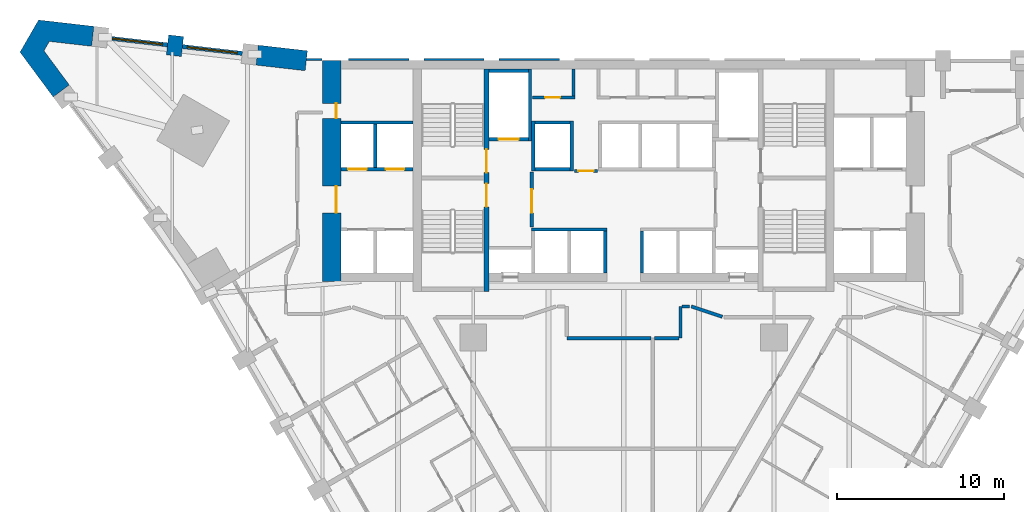
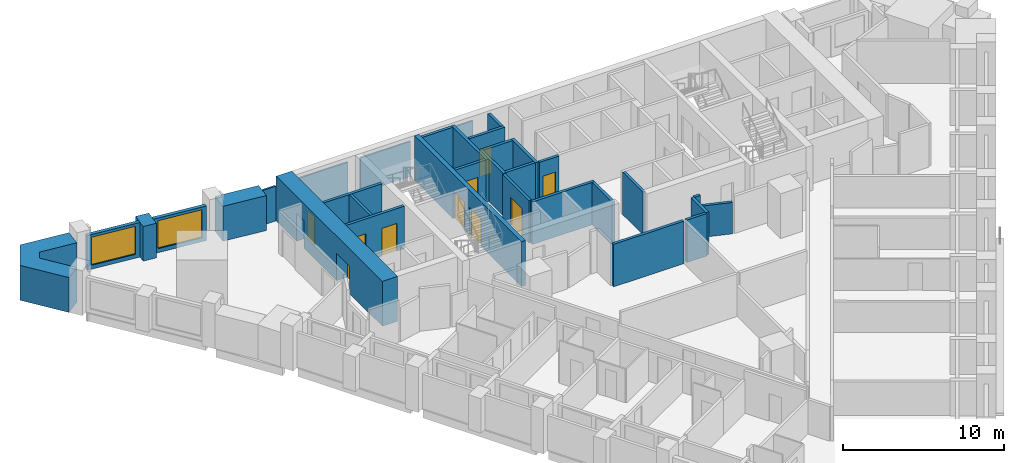
# One storey, part 7 of 11: 33 walls, 10 doors, 2 windows, 12 openings.
"""IFC4 building model written with IfcOpenShell, lengths in metres."""

import ifcopenshell
import ifcopenshell.guid

model = None  # the IFC model being written
_history = None  # IfcOwnerHistory: only IFC2X3 demands one
_inside = {}  # id of a spatial element -> (the spatial element, [elements in it])
_under = {}  # id of a project, library or spatial element -> (it, [spatial elements below it])
_declared = {}  # id of a project -> (the project, [libraries it declares])
_typed = {}  # id of a type object -> (the type object, [elements of that type])
_made_of = {}  # id of a material, layer set ... -> (it, [elements and type objects made of it])


def new_model(schema):
    """Start an empty IFC model of exactly this schema.

    Asked for "IFC4X3", IfcOpenShell would pick the latest addendum, in which some entities
    have other attributes; the version numbers below select the first issue.
    IFC2X3 requires an IfcOwnerHistory on every rooted entity: one is made here for all.
    """
    global model, _history
    if schema == "IFC4X3":
        model = ifcopenshell.file(schema_version=(4, 3, 0, 0))
    else:
        model = ifcopenshell.file(schema=schema)
    _inside.clear()
    _under.clear()
    _declared.clear()
    _typed.clear()
    _made_of.clear()
    _history = None
    if model.schema == "IFC2X3":
        org = make("IfcOrganization", Name="unknown")
        user = make(
            "IfcPersonAndOrganization",
            ThePerson=make("IfcPerson", FamilyName="unknown"),
            TheOrganization=org,
        )
        app = make(
            "IfcApplication",
            ApplicationDeveloper=org,
            Version="unknown",
            ApplicationFullName="unknown",
            ApplicationIdentifier="unknown",
        )
        _history = make(
            "IfcOwnerHistory",
            OwningUser=user,
            OwningApplication=app,
            ChangeAction="ADDED",
            CreationDate=0,
        )
    return model


def make(cls, **values):
    """One entity of the class cls with the attributes given. An attribute that is None is left unset."""
    return model.create_entity(
        cls, **{name: value for name, value in values.items() if value is not None}
    )


def rooted(cls, **values):
    """An entity with a GlobalId (a new one), such as an element, a storey or a relation."""
    return make(cls, GlobalId=ifcopenshell.guid.new(), OwnerHistory=_history, **values)


def si_unit(unit_type, name, prefix=None):
    """IfcSIUnit, for example si_unit("LENGTHUNIT", "METRE", prefix="MILLI")."""
    return make("IfcSIUnit", UnitType=unit_type, Prefix=prefix, Name=name)


def assignment(units):
    """IfcUnitAssignment: the units of a project."""
    return None if units is None else make("IfcUnitAssignment", Units=units)


def point(xyz):
    """IfcCartesianPoint."""
    return None if xyz is None else make("IfcCartesianPoint", Coordinates=xyz)


def direction(xyz):
    """IfcDirection."""
    return None if xyz is None else make("IfcDirection", DirectionRatios=xyz)


def frame(location, z_axis=None, x_axis=None):
    """IfcAxis2Placement3D, a coordinate frame: its origin and axes. An axis left out is left unset."""
    return make(
        "IfcAxis2Placement3D",
        Location=point(location),
        Axis=direction(z_axis),
        RefDirection=direction(x_axis),
    )


def frame_2d(location, x_axis=None):
    """IfcAxis2Placement2D, a coordinate frame in the plane: its origin and x axis."""
    return make(
        "IfcAxis2Placement2D", Location=point(location), RefDirection=direction(x_axis)
    )


def origin():
    """The frame at (0, 0, 0) with its axes left unset."""
    return frame((0.0, 0.0, 0.0))


def place(relative_to, where):
    """IfcLocalPlacement: puts the frame where relative to a parent placement (None: the world)."""
    return make(
        "IfcLocalPlacement", PlacementRelTo=relative_to, RelativePlacement=where
    )


def context(
    kind, dimensions, precision=None, world=None, true_north=None, identifier=None
):
    """IfcGeometricRepresentationContext, for example the 3D "Model" context."""
    return make(
        "IfcGeometricRepresentationContext",
        ContextIdentifier=identifier,
        ContextType=kind,
        CoordinateSpaceDimension=dimensions,
        Precision=precision,
        WorldCoordinateSystem=world,
        TrueNorth=true_north,
    )


def subcontext(parent, identifier, kind, view, scale=None):
    """IfcGeometricRepresentationSubContext, for example "Body" below "Model"."""
    return make(
        "IfcGeometricRepresentationSubContext",
        ContextIdentifier=identifier,
        ContextType=kind,
        ParentContext=parent,
        TargetScale=scale,
        TargetView=view,
    )


def project(units=None, contexts=None):
    """IfcProject with its units and contexts."""
    return rooted(
        "IfcProject",
        Name="project",
        RepresentationContexts=contexts,
        UnitsInContext=assignment(units),
    )


def spatial(cls, under=None, at=None, **own):
    """A site, building, storey or space (cls), placed at a placement, below another one or the project."""
    s = rooted(cls, ObjectPlacement=at, **own)
    if under is not None:
        _under.setdefault(under.id(), (under, []))[1].append(s)
    return s


def polyline(points):
    """IfcPolyline through the points."""
    return make("IfcPolyline", Points=[point(p) for p in points])


def profile(cls, at=None, kind="AREA", **sizes):
    """A parametric profile (cls). Its sizes go by their IFC names, for example OverallWidth=200.0."""
    return make(cls, ProfileType=kind, Position=at, **sizes)


def rectangle(**sizes):
    """IfcRectangleProfileDef."""
    return profile("IfcRectangleProfileDef", **sizes)


def outline(outer, holes=None, kind="AREA"):
    """IfcArbitraryClosedProfileDef: a profile drawn as a closed curve; with holes, ...WithVoids."""
    if holes is None:
        return make("IfcArbitraryClosedProfileDef", ProfileType=kind, OuterCurve=outer)
    return make(
        "IfcArbitraryProfileDefWithVoids",
        ProfileType=kind,
        OuterCurve=outer,
        InnerCurves=holes,
    )


def extrude(swept, where, along, depth):
    """IfcExtrudedAreaSolid: the profile swept, set in the frame where, extruded along a direction by depth."""
    return make(
        "IfcExtrudedAreaSolid",
        SweptArea=swept,
        Position=where,
        ExtrudedDirection=direction(along),
        Depth=depth,
    )


def shape(context_of_items, identifier, shape_type, items):
    """IfcShapeRepresentation: the items that make up one representation, for example the "Body"."""
    return make(
        "IfcShapeRepresentation",
        ContextOfItems=context_of_items,
        RepresentationIdentifier=identifier,
        RepresentationType=shape_type,
        Items=items,
    )


def material(Name=None, Category=None):
    """IfcMaterial."""
    return make("IfcMaterial", Name=Name, Category=Category)


def layer(
    of_material, thickness, ventilated=None, Name=None, Category=None, Priority=None
):
    """IfcMaterialLayer: one layer of a wall or slab, of a material (None: an air gap)."""
    return make(
        "IfcMaterialLayer",
        Material=of_material,
        LayerThickness=thickness,
        IsVentilated=ventilated,
        Name=Name,
        Category=Category,
        Priority=Priority,
    )


def layer_set(layers, Name=None):
    """IfcMaterialLayerSet."""
    return make("IfcMaterialLayerSet", MaterialLayers=layers, LayerSetName=Name)


def made_of(thing, what):
    """Note that an element or type object is made of a material, layer set ...; save() writes the relation."""
    if what is not None:
        _made_of.setdefault(what.id(), (what, []))[1].append(thing)
    return thing


def type_object(cls, material=None, **own):
    """A type object (cls), such as IfcWallType, which elements share."""
    return made_of(rooted(cls, **own), material)


def element(
    cls,
    number,
    at=None,
    inside=None,
    cuts=None,
    type_object=None,
    material=None,
    context=None,
    identifier="Body",
    shape_type=None,
    held_by="IfcProductDefinitionShape",
    body=None,
    shapes=None,
    **own,
):
    """One element of the class cls, such as IfcWall. Its Tag is "e" and its number.

    at: its placement. inside: the storey or other place that contains it. cuts: it is an
    opening in that element (IfcRelVoidsElement). A single representation is given by context,
    identifier, shape_type and body (its items); several are given by shapes. held_by: the class
    of the entity that holds the representations. save() writes the other relations.
    """
    e = rooted(cls, Tag="e%d" % number, ObjectPlacement=at, **own)
    if body is not None:
        shapes = [shape(context, identifier, shape_type, body)]
    if shapes is not None:
        e.Representation = make(held_by, Representations=shapes)
    if inside is not None:
        _inside.setdefault(inside.id(), (inside, []))[1].append(e)
    if cuts is not None:
        rooted(
            "IfcRelVoidsElement", RelatingBuildingElement=cuts, RelatedOpeningElement=e
        )
    if type_object is not None:
        _typed.setdefault(type_object.id(), (type_object, []))[1].append(e)
    return made_of(e, material)


def fill(opening, filler):
    """IfcRelFillsElement: the door or window that sits in an opening."""
    return rooted(
        "IfcRelFillsElement",
        RelatingOpeningElement=opening,
        RelatedBuildingElement=filler,
    )


def aggregate(whole, parts):
    """IfcRelAggregates: a whole, such as a stair, and the parts it consists of."""
    return rooted("IfcRelAggregates", RelatingObject=whole, RelatedObjects=parts)


def save(model, path):
    """Write the relations noted so far, then the file.

    IfcRelAggregates (storeys below a building ...), IfcRelContainedInSpatialStructure (elements
    in a storey), IfcRelDefinesByType, IfcRelAssociatesMaterial and IfcRelDeclares: one each for
    every whole, place, type object, material and project.
    """
    for whole, parts in _under.values():
        aggregate(whole, parts)
    for where, things in _inside.values():
        rooted(
            "IfcRelContainedInSpatialStructure",
            RelatedElements=things,
            RelatingStructure=where,
        )
    for kind, things in _typed.values():
        rooted("IfcRelDefinesByType", RelatedObjects=things, RelatingType=kind)
    for what, things in _made_of.values():
        rooted("IfcRelAssociatesMaterial", RelatedObjects=things, RelatingMaterial=what)
    for by, libraries in _declared.values():
        rooted("IfcRelDeclares", RelatingContext=by, RelatedDefinitions=libraries)
    model.write(path)


model = new_model("IFC4")

# Units and contexts
model_context = context("Model", 3, precision=1e-05, world=origin(), true_north=direction((0.0, 1.0)))
body_context = subcontext(model_context, "Body", "Model", "MODEL_VIEW")
ifc_project = project(units=[si_unit("LENGTHUNIT", "METRE"), si_unit("AREAUNIT", "SQUARE_METRE"), si_unit("VOLUMEUNIT", "CUBIC_METRE"), si_unit("PLANEANGLEUNIT", "RADIAN"), si_unit("MASSUNIT", "GRAM", prefix="KILO")], contexts=[model_context])

# Site, building, storey
site_placement = place(None, origin())
site = spatial("IfcSite", under=ifc_project, at=site_placement, CompositionType="ELEMENT")
building_placement = place(site_placement, origin())
building = spatial("IfcBuilding", under=site, at=building_placement, Name="Calabash Gate Tower", CompositionType="ELEMENT")
storey_placement = place(building_placement, frame((0.0, 0.0, 52.800048828125)))
storey = spatial("IfcBuildingStorey", under=building, at=storey_placement, Name="L08", CompositionType="ELEMENT", Elevation=52.800048828125)

# Walls
ifc_material_1 = material(Name="Terracotta brick masonry, exposed face", Category="masonry")
ifc_layer_1 = layer(ifc_material_1, 1.199951171875)
ifc_layer_set_1 = layer_set([ifc_layer_1], Name="Brick end wall 1200")
wall_type_1 = type_object("IfcWallType", Name="Brick end wall 1200", PredefinedType="SOLIDWALL", material=ifc_layer_set_1)
wall_1_placement = place(storey_placement, frame((-26.90625, 19.35400390625, 0.0), z_axis=(0.0, 0.0, 1.0), x_axis=(0.113936776845, 0.993488002385, 0.0)))
element("IfcWall", 1, at=wall_1_placement, inside=storey, type_object=wall_type_1, Name="Brick pier S01 wedge5.1", PredefinedType="SOLIDWALL", context=body_context, shape_type="SweptSolid", body=[
    extrude(rectangle(XDim=1.199951171875, YDim=0.89990234375, at=frame_2d((0.60009765625, 0.0))), origin(), (0.0, 0.0, 1.0), 2.6298828125),
])
wall_2_placement = place(storey_placement, frame((-21.919921875, 19.386962890625, 0.0), z_axis=(0.0, 0.0, 1.0), x_axis=(0.993507634887, -0.113765457942, 0.0)))
element("IfcWall", 2, at=wall_2_placement, inside=storey, type_object=wall_type_1, Name="Brick end wall S01 1", PredefinedType="SOLIDWALL", context=body_context, shape_type="SweptSolid", body=[
    extrude(rectangle(XDim=2.957275390625, YDim=1.199951171875, at=frame_2d((1.478515625, 0.0))), origin(), (0.0, 0.0, 1.0), 2.64990234375),
])
wall_3_placement = place(storey_placement, origin())
element("IfcWall", 3, at=wall_3_placement, inside=storey, type_object=wall_type_1, Name="Brick end wall S01 2", PredefinedType="SOLIDWALL", context=body_context, shape_type="SweptSolid", body=[
    extrude(outline(polyline([(-31.687744140625, 21.109375), (-34.99853515625, 21.48876953125), (-36.109130859375, 19.5654296875), (-34.125, 16.887451171875), (-33.160888671875, 17.601806640625), (-34.67626953125, 19.647216796875), (-34.35302734375, 20.206787109375), (-31.82421875, 19.917236328125), (-31.687744140625, 21.109375)])), origin(), (0.0, 0.0, 1.0), 2.64990234375),
])
ifc_material_2 = material(Name="Gypsum board on steel studs, mineral wool", Category="steel")
ifc_layer_2 = layer(ifc_material_2, 0.199951171875)
ifc_layer_set_2 = layer_set([ifc_layer_2], Name="Core partition 200 gypsum board")
wall_type_2 = type_object("IfcWallType", Name="Core partition 200 gypsum board", PredefinedType="PARTITIONING", material=ifc_layer_set_2)
wall_4_placement = place(storey_placement, frame((-3.0, 16.95263671875, 0.0), z_axis=(0.0, 0.0, 1.0), x_axis=(0.0, 1.0, 0.0)))
element("IfcWall", 4, at=wall_4_placement, inside=storey, type_object=wall_type_2, Name="Core partition", PredefinedType="PARTITIONING", context=body_context, shape_type="SweptSolid", body=[
    extrude(rectangle(XDim=1.599853515625, YDim=0.199951171875, at=frame_2d((0.7998046875, 0.0))), origin(), (0.0, 0.0, 1.0), 3.22998046875),
])

# Wall, openings, doors
ifc_material_3 = material(Name="Concrete C80/95", Category="concrete")
ifc_layer_3 = layer(ifc_material_3, 1.10009765625)
ifc_layer_set_3 = layer_set([ifc_layer_3], Name="Core wall 1100 Concrete C80/95")
wall_type_3 = type_object("IfcWallType", Name="Core wall 1100 Concrete C80/95", PredefinedType="SHEAR", material=ifc_layer_set_3)
wall_5_placement = place(storey_placement, frame((-17.449951171875, 5.8525390625, 0.0), z_axis=(0.0, 0.0, 1.0), x_axis=(0.0, 1.0, 0.0)))
wall_5 = element("IfcWall", 5, at=wall_5_placement, inside=storey, type_object=wall_type_3, Name="Core wall Z1-ENDW L08", PredefinedType="SHEAR", context=body_context, shape_type="SweptSolid", body=[
    extrude(rectangle(XDim=13.199951171875, YDim=1.10009765625, at=frame_2d((6.60009765625, 0.0))), origin(), (0.0, 0.0, 1.0), 3.39990234375),
])
opening_1_placement = place(wall_5_placement, frame((4.10009765625, 0.0, 0.0)))
opening_1 = element("IfcOpeningElement", 6, at=opening_1_placement, cuts=wall_5, Name="Opening H1-003", PredefinedType="OPENING", context=body_context, shape_type="SweptSolid", body=[
    extrude(rectangle(XDim=1.60009765625, YDim=2.10009765625, at=frame_2d((0.800048828125, 1.050048828125))), frame((0.0, 0.56005859375, 0.0), z_axis=(0.0, -1.0, 0.0), x_axis=(1.0, 0.0, 0.0)), (0.0, 0.0, 1.0), 1.1201171875),
])
opening_2_placement = place(wall_5_placement, frame((9.75, 0.0, 0.0)))
opening_2 = element("IfcOpeningElement", 7, at=opening_2_placement, cuts=wall_5, Name="Opening H1-004", PredefinedType="OPENING", context=body_context, shape_type="SweptSolid", body=[
    extrude(rectangle(XDim=0.89990234375, YDim=2.10009765625, at=frame_2d((0.449951171875, 1.050048828125))), frame((0.0, 0.56005859375, 0.0), z_axis=(0.0, -1.0, 0.0), x_axis=(1.0, 0.0, 0.0)), (0.0, 0.0, 1.0), 1.1201171875),
])
ifc_material_4 = material(Name="Steel fire door set with fire-resisting glazing", Category="steel")
door_type_1 = type_object("IfcDoorType", Name="Double fire door D08 1600x2100 FD60", OperationType="DOUBLE_DOOR_SINGLE_SWING", PredefinedType="DOOR", material=ifc_material_4)
door_1_placement = place(opening_1_placement, origin())
door_1 = element("IfcDoor", 8, at=door_1_placement, inside=storey, type_object=door_type_1, Name="Low-rise Lift Lobby W door", OperationType="DOUBLE_DOOR_SINGLE_SWING", OverallHeight=2.10009765625, OverallWidth=1.60009765625, PredefinedType="DOOR", context=body_context, shape_type="SweptSolid", body=[
    extrude(rectangle(XDim=1.60009765625, YDim=2.10009765625, at=frame_2d((0.800048828125, 1.050048828125))), frame((0.0, -0.22509765625, 0.0), z_axis=(0.0, -1.0, 0.0), x_axis=(1.0, 0.0, 0.0)), (0.0, 0.0, 1.0), 0.050048828125),
])
fill(opening_1, door_1)
ifc_material_5 = material(Name="Steel fire door set with fire-resisting glazing", Category="steel")
door_type_2 = type_object("IfcDoorType", Name="Fire door D06 900x2100 FD60", OperationType="NOTDEFINED", PredefinedType="DOOR", material=ifc_material_5)
door_2_placement = place(opening_2_placement, origin())
door_2 = element("IfcDoor", 9, at=door_2_placement, inside=storey, type_object=door_type_2, Name="Cleaner's Store door", OperationType="SINGLE_SWING_RIGHT", OverallHeight=2.10009765625, OverallWidth=0.89990234375, PredefinedType="DOOR", context=body_context, shape_type="SweptSolid", body=[
    extrude(rectangle(XDim=0.89990234375, YDim=2.10009765625, at=frame_2d((0.449951171875, 1.050048828125))), frame((0.0, -0.22509765625, 0.0), z_axis=(0.0, -1.0, 0.0), x_axis=(1.0, 0.0, 0.0)), (0.0, 0.0, 1.0), 0.050048828125),
])
fill(opening_2, door_2)

ifc_material_6 = material(Name="Concrete C80/95", Category="concrete")
ifc_layer_4 = layer(ifc_material_6, 0.300048828125)
ifc_layer_set_4 = layer_set([ifc_layer_4], Name="Core wall 300 Concrete C80/95")
wall_type_4 = type_object("IfcWallType", Name="Core wall 300 Concrete C80/95", PredefinedType="SHEAR", material=ifc_layer_set_4)
wall_6_placement = place(storey_placement, frame((-8.199951171875, 5.252685546875, 0.0), z_axis=(0.0, 0.0, 1.0), x_axis=(0.0, 1.0, 0.0)))
wall_6 = element("IfcWall", 10, at=wall_6_placement, inside=storey, type_object=wall_type_4, Name="Core wall Z1-PARTW L08", PredefinedType="SHEAR", context=body_context, shape_type="SweptSolid", body=[
    extrude(rectangle(XDim=13.2998046875, YDim=0.300048828125, at=frame_2d((6.64990234375, 0.0))), origin(), (0.0, 0.0, 1.0), 3.39990234375),
])
opening_3_placement = place(wall_6_placement, frame((7.10009765625, 0.0, 0.0)))
opening_3 = element("IfcOpeningElement", 11, at=opening_3_placement, cuts=wall_6, Name="Opening H1-014", PredefinedType="OPENING", context=body_context, shape_type="SweptSolid", body=[
    extrude(rectangle(XDim=1.39990234375, YDim=2.10009765625, at=frame_2d((0.699951171875, 1.050048828125))), frame((0.0, 0.159912109375, 0.0), z_axis=(0.0, -1.0, 0.0), x_axis=(1.0, 0.0, 0.0)), (0.0, 0.0, 1.0), 0.320068359375),
])
opening_4_placement = place(wall_6_placement, frame((5.050048828125, 0.0, 0.0)))
opening_4 = element("IfcOpeningElement", 12, at=opening_4_placement, cuts=wall_6, Name="Opening H1-015", PredefinedType="OPENING", context=body_context, shape_type="SweptSolid", body=[
    extrude(rectangle(XDim=1.39990234375, YDim=2.10009765625, at=frame_2d((0.699951171875, 1.050048828125))), frame((0.0, 0.159912109375, 0.0), z_axis=(0.0, -1.0, 0.0), x_axis=(1.0, 0.0, 0.0)), (0.0, 0.0, 1.0), 0.320068359375),
])
ifc_material_7 = material(Name="Steel fire door set with fire-resisting glazing", Category="steel")
door_type_3 = type_object("IfcDoorType", Name="Fire door D05 1400x2100 FD90", OperationType="NOTDEFINED", PredefinedType="DOOR", material=ifc_material_7)
door_3_placement = place(opening_3_placement, origin())
door_3 = element("IfcDoor", 13, at=door_3_placement, inside=storey, type_object=door_type_3, Name="Exit stair door ST1", OperationType="SINGLE_SWING_LEFT", OverallHeight=2.10009765625, OverallWidth=1.39990234375, PredefinedType="DOOR", context=body_context, shape_type="SweptSolid", body=[
    extrude(rectangle(XDim=1.39990234375, YDim=2.10009765625, at=frame_2d((0.699951171875, 1.050048828125))), frame((0.0, 0.02490234375, 0.0), z_axis=(0.0, -1.0, 0.0), x_axis=(1.0, 0.0, 0.0)), (0.0, 0.0, 1.0), 0.050048828125),
])
fill(opening_3, door_3)
door_4_placement = place(opening_4_placement, origin())
door_4 = element("IfcDoor", 14, at=door_4_placement, inside=storey, type_object=door_type_3, Name="Exit stair door ST2", OperationType="SINGLE_SWING_LEFT", OverallHeight=2.10009765625, OverallWidth=1.39990234375, PredefinedType="DOOR", context=body_context, shape_type="SweptSolid", body=[
    extrude(rectangle(XDim=1.39990234375, YDim=2.10009765625, at=frame_2d((0.699951171875, 1.050048828125))), frame((0.0, 0.02490234375, 0.0), z_axis=(0.0, -1.0, 0.0), x_axis=(1.0, 0.0, 0.0)), (0.0, 0.0, 1.0), 0.050048828125),
])
fill(opening_4, door_4)

# Walls
ifc_material_8 = material(Name="Gypsum board on steel studs, mineral wool", Category="steel")
ifc_layer_5 = layer(ifc_material_8, 0.199951171875)
ifc_layer_set_5 = layer_set([ifc_layer_5], Name="Partition 200 gypsum board EI 60")
wall_type_5 = type_object("IfcWallType", Name="Partition 200 gypsum board EI 60", PredefinedType="PARTITIONING", material=ifc_layer_set_5)
wall_7_placement = place(storey_placement, frame((-3.400146484375, 2.452392578125, 0.0), z_axis=(0.0, 0.0, 1.0), x_axis=(0.99999994274, -0.000338409456, 0.0)))
element("IfcWall", 15, at=wall_7_placement, inside=storey, type_object=wall_type_5, Name="Partition", PredefinedType="PARTITIONING", context=body_context, shape_type="SweptSolid", body=[
    extrude(rectangle(XDim=5.050048828125, YDim=0.199951171875, at=frame_2d((2.52490234375, 0.0))), origin(), (0.0, 0.0, 1.0), 3.22998046875),
])
wall_8_placement = place(storey_placement, frame((1.85009765625, 2.45068359375, 0.0), z_axis=(0.0, 0.0, 1.0), x_axis=(0.999999305627, 0.00117845036, 0.0)))
element("IfcWall", 16, at=wall_8_placement, inside=storey, type_object=wall_type_5, Name="Partition", PredefinedType="PARTITIONING", context=body_context, shape_type="SweptSolid", body=[
    extrude(rectangle(XDim=1.4501953125, YDim=0.199951171875, at=frame_2d((0.72509765625, 0.0))), origin(), (0.0, 0.0, 1.0), 3.22998046875),
])
wall_9_placement = place(storey_placement, frame((4.042236328125, 4.352294921875, 0.0), z_axis=(0.0, 0.0, 1.0), x_axis=(0.948695731075, -0.316190464499, 0.0)))
element("IfcWall", 17, at=wall_9_placement, inside=storey, type_object=wall_type_5, Name="Partition", PredefinedType="PARTITIONING", context=body_context, shape_type="SweptSolid", body=[
    extrude(rectangle(XDim=1.963623046875, YDim=0.199951171875, at=frame_2d((0.98193359375, 0.0))), origin(), (0.0, 0.0, 1.0), 2.384033203125),
])
wall_10_placement = place(storey_placement, frame((3.400146484375, 2.452392578125, 0.0), z_axis=(0.0, 0.0, 1.0), x_axis=(0.001028938362, 0.999999470643, 0.0)))
element("IfcWall", 18, at=wall_10_placement, inside=storey, type_object=wall_type_5, Name="Partition", PredefinedType="PARTITIONING", context=body_context, shape_type="SweptSolid", body=[
    extrude(rectangle(XDim=1.898193359375, YDim=0.199951171875, at=frame_2d((0.94921875, 0.0))), origin(), (0.0, 0.0, 1.0), 3.22998046875),
])
wall_11_placement = place(storey_placement, frame((3.501953125, 4.350830078125, 0.0), z_axis=(0.0, 0.0, 1.0), x_axis=(0.999996159087, 0.00277160798, 0.0)))
element("IfcWall", 19, at=wall_11_placement, inside=storey, type_object=wall_type_5, Name="Partition", PredefinedType="PARTITIONING", context=body_context, shape_type="SweptSolid", body=[
    extrude(rectangle(XDim=0.4404296875, YDim=0.199951171875, at=frame_2d((0.22021484375, 0.0))), origin(), (0.0, 0.0, 1.0), 3.22998046875),
])

# Wall, opening, window
ifc_material_9 = material(Name="Aluminium framed window wall with insulated spandrel", Category="aluminium")
ifc_layer_6 = layer(ifc_material_9, 0.25)
ifc_layer_set_6 = layer_set([ifc_layer_6], Name="Prow window wall 250")
wall_type_6 = type_object("IfcWallType", Name="Prow window wall 250", PredefinedType="ELEMENTEDWALL", material=ifc_layer_set_6)
wall_12_placement = place(storey_placement, frame((-22.814208984375, 19.4892578125, 0.0), z_axis=(0.0, 0.0, 1.0), x_axis=(-0.993504225498, 0.113795228013, 0.0)))
wall_12 = element("IfcWall", 20, at=wall_12_placement, inside=storey, type_object=wall_type_6, Name="Prow window wall S01 wedge5.1", PredefinedType="ELEMENTEDWALL", context=body_context, shape_type="SweptSolid", body=[
    extrude(rectangle(XDim=3.60009765625, YDim=0.25, at=frame_2d((1.800048828125, 0.0))), origin(), (0.0, 0.0, 1.0), 2.6298828125),
])
opening_5_placement = place(wall_12_placement, frame((0.300048828125, 0.0, 0.300048828125)))
opening_5 = element("IfcOpeningElement", 21, at=opening_5_placement, cuts=wall_12, Name="Opening WP1L-2130", PredefinedType="OPENING", context=body_context, shape_type="SweptSolid", body=[
    extrude(rectangle(XDim=3.0, YDim=2.1298828125, at=frame_2d((1.5, 1.06494140625))), frame((0.0, 0.135009765625, 0.0), z_axis=(0.0, -1.0, 0.0), x_axis=(1.0, 0.0, 0.0)), (0.0, 0.0, 1.0), 0.27001953125),
])
ifc_material_10 = material(Name="Anodised aluminium frame, bronze finish, impact-rated laminated clear glazing", Category="aluminium")
window_type = type_object("IfcWindowType", Name="Window WP1L 3000x2130", PartitioningType="DOUBLE_PANEL_VERTICAL", PredefinedType="WINDOW", material=ifc_material_10)
window_1_placement = place(opening_5_placement, origin())
window_1 = element("IfcWindow", 22, at=window_1_placement, inside=storey, type_object=window_type, Name="Prow window WP1L S01 wedge5.1", OverallHeight=2.1298828125, OverallWidth=3.0, PartitioningType="SINGLE_PANEL", PredefinedType="WINDOW", context=body_context, shape_type="SweptSolid", body=[
    extrude(rectangle(XDim=3.0, YDim=2.1298828125, at=frame_2d((1.5, 1.06494140625))), frame((0.0, 0.030029296875, 0.0), z_axis=(0.0, -1.0, 0.0), x_axis=(1.0, 0.0, 0.0)), (0.0, 0.0, 1.0), 0.06005859375),
])
fill(opening_5, window_1)

wall_13_placement = place(storey_placement, frame((-27.284912109375, 20.00146484375, 0.0), z_axis=(0.0, 0.0, 1.0), x_axis=(-0.993511890309, 0.113728289423, 0.0)))
wall_13 = element("IfcWall", 23, at=wall_13_placement, inside=storey, type_object=wall_type_6, Name="Prow window wall S01 wedge5.2", PredefinedType="ELEMENTEDWALL", context=body_context, shape_type="SweptSolid", body=[
    extrude(rectangle(XDim=3.60009765625, YDim=0.25, at=frame_2d((1.800048828125, 0.0))), origin(), (0.0, 0.0, 1.0), 2.6298828125),
])
opening_6_placement = place(wall_13_placement, frame((0.300048828125, 0.0, 0.300048828125)))
opening_6 = element("IfcOpeningElement", 24, at=opening_6_placement, cuts=wall_13, Name="Opening WP1L-2130", PredefinedType="OPENING", context=body_context, shape_type="SweptSolid", body=[
    extrude(rectangle(XDim=3.0, YDim=2.1298828125, at=frame_2d((1.5, 1.06494140625))), frame((0.0, 0.135009765625, 0.0), z_axis=(0.0, -1.0, 0.0), x_axis=(1.0, 0.0, 0.0)), (0.0, 0.0, 1.0), 0.27001953125),
])
window_2_placement = place(opening_6_placement, origin())
window_2 = element("IfcWindow", 25, at=window_2_placement, inside=storey, type_object=window_type, Name="Prow window WP1L S01 wedge5.2", OverallHeight=2.1298828125, OverallWidth=3.0, PartitioningType="SINGLE_PANEL", PredefinedType="WINDOW", context=body_context, shape_type="SweptSolid", body=[
    extrude(rectangle(XDim=3.0, YDim=2.1298828125, at=frame_2d((1.5, 1.06494140625))), frame((0.0, 0.030029296875, 0.0), z_axis=(0.0, -1.0, 0.0), x_axis=(1.0, 0.0, 0.0)), (0.0, 0.0, 1.0), 0.06005859375),
])
fill(opening_6, window_2)

# Walls
ifc_material_11 = material(Name="Concrete C40/50", Category="concrete")
ifc_layer_7 = layer(ifc_material_11, 0.199951171875)
ifc_layer_set_7 = layer_set([ifc_layer_7], Name="Shaft wall 200 Concrete C40/50")
wall_type_7 = type_object("IfcWallType", Name="Shaft wall 200 Concrete C40/50", PredefinedType="SOLIDWALL", material=ifc_layer_set_7)
for number, where, z_axis, x_axis, name in (
    (26, (-1.10009765625, 6.3525390625, 0.0), (0.0, 0.0, 1.0), (0.0, 1.0, 0.0), "Shaft wall"),
    (27, (1.10009765625, 6.3525390625, 0.0), (0.0, 0.0, 1.0), (0.0, 1.0, 0.0), "Shaft wall"),
):
    element("IfcWall", number, at=place(storey_placement, frame(where, z_axis=z_axis, x_axis=x_axis)), inside=storey, type_object=wall_type_7, Name=name, PredefinedType="SOLIDWALL", context=body_context, shape_type="SweptSolid", body=[
        extrude(rectangle(XDim=2.5, YDim=0.199951171875, at=frame_2d((1.25, 0.0))), origin(), (0.0, 0.0, 1.0), 3.22998046875),
    ])
wall_14_placement = place(storey_placement, frame((-5.5, 8.95263671875, 0.0), z_axis=(0.0, 0.0, 1.0), x_axis=(1.0, 0.0, 0.0)))
element("IfcWall", 28, at=wall_14_placement, inside=storey, type_object=wall_type_7, Name="Shaft wall", PredefinedType="SOLIDWALL", context=body_context, shape_type="SweptSolid", body=[
    extrude(rectangle(XDim=4.5, YDim=0.199951171875, at=frame_2d((2.25, 0.0))), origin(), (0.0, 0.0, 1.0), 3.22998046875),
])

# Wall, opening, door
wall_15_placement = place(storey_placement, frame((-5.5, 9.1025390625, 0.0), z_axis=(0.0, 0.0, 1.0), x_axis=(0.0, 1.0, 0.0)))
wall_15 = element("IfcWall", 29, at=wall_15_placement, inside=storey, type_object=wall_type_7, Name="Shaft wall", PredefinedType="SOLIDWALL", context=body_context, shape_type="SweptSolid", body=[
    extrude(rectangle(XDim=3.300048828125, YDim=0.199951171875, at=frame_2d((1.64990234375, 0.0))), origin(), (0.0, 0.0, 1.0), 3.22998046875),
])
opening_7_placement = place(wall_15_placement, frame((0.85009765625, 0.0, 0.0)))
opening_7 = element("IfcOpeningElement", 30, at=opening_7_placement, cuts=wall_15, Name="Opening H1-007", PredefinedType="OPENING", context=body_context, shape_type="SweptSolid", body=[
    extrude(rectangle(XDim=1.39990234375, YDim=2.10009765625, at=frame_2d((0.699951171875, 1.050048828125))), frame((0.0, 0.10986328125, 0.0), z_axis=(0.0, -1.0, 0.0), x_axis=(1.0, 0.0, 0.0)), (0.0, 0.0, 1.0), 0.219970703125),
])
door_5_placement = place(opening_7_placement, origin())
door_5 = element("IfcDoor", 31, at=door_5_placement, inside=storey, type_object=door_type_3, Name="Firefighting Lobby W door", OperationType="SINGLE_SWING_RIGHT", OverallHeight=2.10009765625, OverallWidth=1.39990234375, PredefinedType="DOOR", context=body_context, shape_type="SweptSolid", body=[
    extrude(rectangle(XDim=1.39990234375, YDim=2.10009765625, at=frame_2d((0.699951171875, 1.050048828125))), frame((0.0, 0.02490234375, 0.0), z_axis=(0.0, -1.0, 0.0), x_axis=(1.0, 0.0, 0.0)), (0.0, 0.0, 1.0), 0.050048828125),
])
fill(opening_7, door_5)

wall_16_placement = place(storey_placement, frame((-2.949951171875, 12.45263671875, 0.0), z_axis=(0.0, 0.0, 1.0), x_axis=(1.0, 0.0, 0.0)))
wall_16 = element("IfcWall", 32, at=wall_16_placement, inside=storey, type_object=wall_type_7, Name="Shaft wall", PredefinedType="SOLIDWALL", context=body_context, shape_type="SweptSolid", body=[
    extrude(rectangle(XDim=1.39990234375, YDim=0.199951171875, at=frame_2d((0.699951171875, 0.0))), origin(), (0.0, 0.0, 1.0), 3.22998046875),
])
opening_8_placement = place(wall_16_placement, frame((0.25, 0.0, 0.0)))
opening_8 = element("IfcOpeningElement", 33, at=opening_8_placement, cuts=wall_16, Name="Opening H1-005", PredefinedType="OPENING", context=body_context, shape_type="SweptSolid", body=[
    extrude(rectangle(XDim=0.89990234375, YDim=2.10009765625, at=frame_2d((0.449951171875, 1.050048828125))), frame((0.0, 0.10986328125, 0.0), z_axis=(0.0, -1.0, 0.0), x_axis=(1.0, 0.0, 0.0)), (0.0, 0.0, 1.0), 0.219970703125),
])
door_6_placement = place(opening_8_placement, origin())
door_6 = element("IfcDoor", 34, at=door_6_placement, inside=storey, type_object=door_type_2, Name="Service Corridor door", OperationType="SINGLE_SWING_RIGHT", OverallHeight=2.10009765625, OverallWidth=0.89990234375, PredefinedType="DOOR", context=body_context, shape_type="SweptSolid", body=[
    extrude(rectangle(XDim=0.89990234375, YDim=2.10009765625, at=frame_2d((0.449951171875, 1.050048828125))), frame((0.0, 0.02490234375, 0.0), z_axis=(0.0, -1.0, 0.0), x_axis=(1.0, 0.0, 0.0)), (0.0, 0.0, 1.0), 0.050048828125),
])
fill(opening_8, door_6)

# Wall, openings, doors
wall_17_placement = place(storey_placement, frame((-16.89990234375, 12.552490234375, 0.0), z_axis=(0.0, 0.0, 1.0), x_axis=(1.0, 0.0, 0.0)))
wall_17 = element("IfcWall", 35, at=wall_17_placement, inside=storey, type_object=wall_type_7, Name="Shaft wall", PredefinedType="SOLIDWALL", context=body_context, shape_type="SweptSolid", body=[
    extrude(rectangle(XDim=4.2998046875, YDim=0.199951171875, at=frame_2d((2.14990234375, 0.0))), origin(), (0.0, 0.0, 1.0), 3.22998046875),
])
opening_9_placement = place(wall_17_placement, frame((2.675048828125, 0.0, 0.0)))
opening_9 = element("IfcOpeningElement", 36, at=opening_9_placement, cuts=wall_17, Name="Opening LD-LR3", PredefinedType="OPENING", context=body_context, shape_type="SweptSolid", body=[
    extrude(rectangle(XDim=1.10009765625, YDim=2.10009765625, at=frame_2d((0.550048828125, 1.050048828125))), frame((0.0, 0.10986328125, 0.0), z_axis=(0.0, -1.0, 0.0), x_axis=(1.0, 0.0, 0.0)), (0.0, 0.0, 1.0), 0.219970703125),
])
opening_10_placement = place(wall_17_placement, frame((0.425048828125, 0.0, 0.0)))
opening_10 = element("IfcOpeningElement", 37, at=opening_10_placement, cuts=wall_17, Name="Opening LD-LR4", PredefinedType="OPENING", context=body_context, shape_type="SweptSolid", body=[
    extrude(rectangle(XDim=1.10009765625, YDim=2.10009765625, at=frame_2d((0.550048828125, 1.050048828125))), frame((0.0, 0.10986328125, 0.0), z_axis=(0.0, -1.0, 0.0), x_axis=(1.0, 0.0, 0.0)), (0.0, 0.0, 1.0), 0.219970703125),
])
ifc_material_12 = material(Name="Stainless steel sliding door leaves", Category="steel")
door_type_4 = type_object("IfcDoorType", Name="Lift landing door LS1 1100x2100 FD90", OperationType="DOUBLE_DOOR_SLIDING", PredefinedType="DOOR", material=ifc_material_12)
door_7_placement = place(opening_9_placement, origin())
door_7 = element("IfcDoor", 38, at=door_7_placement, inside=storey, type_object=door_type_4, Name="Lift landing door LR3", OperationType="DOUBLE_DOOR_SLIDING", OverallHeight=2.10009765625, OverallWidth=1.10009765625, PredefinedType="DOOR", context=body_context, shape_type="SweptSolid", body=[
    extrude(rectangle(XDim=1.10009765625, YDim=2.10009765625, at=frame_2d((0.550048828125, 1.050048828125))), frame((0.0, 0.02490234375, 0.0), z_axis=(0.0, -1.0, 0.0), x_axis=(1.0, 0.0, 0.0)), (0.0, 0.0, 1.0), 0.050048828125),
])
fill(opening_9, door_7)
door_8_placement = place(opening_10_placement, origin())
door_8 = element("IfcDoor", 39, at=door_8_placement, inside=storey, type_object=door_type_4, Name="Lift landing door LR4", OperationType="DOUBLE_DOOR_SLIDING", OverallHeight=2.10009765625, OverallWidth=1.10009765625, PredefinedType="DOOR", context=body_context, shape_type="SweptSolid", body=[
    extrude(rectangle(XDim=1.10009765625, YDim=2.10009765625, at=frame_2d((0.550048828125, 1.050048828125))), frame((0.0, 0.02490234375, 0.0), z_axis=(0.0, -1.0, 0.0), x_axis=(1.0, 0.0, 0.0)), (0.0, 0.0, 1.0), 0.050048828125),
])
fill(opening_10, door_8)

# Walls
wall_18_placement = place(storey_placement, frame((-5.39990234375, 12.45263671875, 0.0), z_axis=(0.0, 0.0, 1.0), x_axis=(0.0, 1.0, 0.0)))
element("IfcWall", 40, at=wall_18_placement, inside=storey, type_object=wall_type_7, Name="Shaft wall", PredefinedType="SOLIDWALL", context=body_context, shape_type="SweptSolid", body=[
    extrude(rectangle(XDim=3.0, YDim=0.199951171875, at=frame_2d((1.5, 0.0))), origin(), (0.0, 0.0, 1.0), 3.22998046875),
])
wall_19_placement = place(storey_placement, frame((-5.300048828125, 12.552490234375, 0.0), z_axis=(0.0, 0.0, 1.0), x_axis=(1.0, 0.0, 0.0)))
element("IfcWall", 41, at=wall_19_placement, inside=storey, type_object=wall_type_7, Name="Shaft wall", PredefinedType="SOLIDWALL", context=body_context, shape_type="SweptSolid", body=[
    extrude(rectangle(XDim=2.10009765625, YDim=0.199951171875, at=frame_2d((1.050048828125, 0.0))), origin(), (0.0, 0.0, 1.0), 3.22998046875),
])
wall_20_placement = place(storey_placement, frame((-3.10009765625, 12.45263671875, 0.0), z_axis=(0.0, 0.0, 1.0), x_axis=(0.0, 1.0, 0.0)))
element("IfcWall", 42, at=wall_20_placement, inside=storey, type_object=wall_type_7, Name="Shaft wall", PredefinedType="SOLIDWALL", context=body_context, shape_type="SweptSolid", body=[
    extrude(rectangle(XDim=3.0, YDim=0.199951171875, at=frame_2d((1.5, 0.0))), origin(), (0.0, 0.0, 1.0), 3.22998046875),
])
wall_21_placement = place(storey_placement, frame((-14.85009765625, 12.652587890625, 0.0), z_axis=(0.0, 0.0, 1.0), x_axis=(0.0, 1.0, 0.0)))
element("IfcWall", 43, at=wall_21_placement, inside=storey, type_object=wall_type_7, Name="Shaft wall", PredefinedType="SOLIDWALL", context=body_context, shape_type="SweptSolid", body=[
    extrude(rectangle(XDim=2.60009765625, YDim=0.199951171875, at=frame_2d((1.300048828125, 0.0))), origin(), (0.0, 0.0, 1.0), 3.22998046875),
])

# Wall, opening, door
wall_22_placement = place(storey_placement, frame((-8.050048828125, 14.3525390625, 0.0), z_axis=(0.0, 0.0, 1.0), x_axis=(1.0, 0.0, 0.0)))
wall_22 = element("IfcWall", 44, at=wall_22_placement, inside=storey, type_object=wall_type_7, Name="Shaft wall", PredefinedType="SOLIDWALL", context=body_context, shape_type="SweptSolid", body=[
    extrude(rectangle(XDim=2.35009765625, YDim=0.199951171875, at=frame_2d((1.175048828125, 0.0))), origin(), (0.0, 0.0, 1.0), 3.22998046875),
])
opening_11_placement = place(wall_22_placement, frame((0.574951171875, 0.0, 0.0)))
opening_11 = element("IfcOpeningElement", 45, at=opening_11_placement, cuts=wall_22, Name="Opening LD-FF1", PredefinedType="OPENING", context=body_context, shape_type="SweptSolid", body=[
    extrude(rectangle(XDim=1.199951171875, YDim=2.10009765625, at=frame_2d((0.60009765625, 1.050048828125))), frame((0.0, 0.10986328125, 0.0), z_axis=(0.0, -1.0, 0.0), x_axis=(1.0, 0.0, 0.0)), (0.0, 0.0, 1.0), 0.219970703125),
])
ifc_material_13 = material(Name="Stainless steel sliding door leaves", Category="steel")
door_type_5 = type_object("IfcDoorType", Name="Lift landing door LS3 1200x2100 FD90", OperationType="DOUBLE_DOOR_SLIDING", PredefinedType="DOOR", material=ifc_material_13)
door_9_placement = place(opening_11_placement, origin())
door_9 = element("IfcDoor", 46, at=door_9_placement, inside=storey, type_object=door_type_5, Name="Lift landing door FF1", OperationType="DOUBLE_DOOR_SLIDING", OverallHeight=2.10009765625, OverallWidth=1.199951171875, PredefinedType="DOOR", context=body_context, shape_type="SweptSolid", body=[
    extrude(rectangle(XDim=1.199951171875, YDim=2.10009765625, at=frame_2d((0.60009765625, 1.050048828125))), frame((0.0, 0.02490234375, 0.0), z_axis=(0.0, -1.0, 0.0), x_axis=(1.0, 0.0, 0.0)), (0.0, 0.0, 1.0), 0.050048828125),
])
fill(opening_11, door_9)

# Walls
for number, where, z_axis, x_axis, name in (
    (47, (-5.60009765625, 14.252685546875, 0.0), (0.0, 0.0, 1.0), (0.0, 1.0, 0.0), "Shaft wall"),
    (48, (-16.89990234375, 15.3525390625, 0.0), (0.0, 0.0, 1.0), (1.0, 0.0, 0.0), "Shaft wall"),
):
    element("IfcWall", number, at=place(storey_placement, frame(where, z_axis=z_axis, x_axis=x_axis)), inside=storey, type_object=wall_type_7, Name=name, PredefinedType="SOLIDWALL", context=body_context, shape_type="SweptSolid", body=[
        extrude(rectangle(XDim=4.2998046875, YDim=0.199951171875, at=frame_2d((2.14990234375, 0.0))), origin(), (0.0, 0.0, 1.0), 3.22998046875),
    ])
wall_23_placement = place(storey_placement, frame((-5.300048828125, 15.3525390625, 0.0), z_axis=(0.0, 0.0, 1.0), x_axis=(1.0, 0.0, 0.0)))
element("IfcWall", 49, at=wall_23_placement, inside=storey, type_object=wall_type_7, Name="Shaft wall", PredefinedType="SOLIDWALL", context=body_context, shape_type="SweptSolid", body=[
    extrude(rectangle(XDim=2.10009765625, YDim=0.199951171875, at=frame_2d((1.050048828125, 0.0))), origin(), (0.0, 0.0, 1.0), 3.22998046875),
])

# Wall, opening, door
wall_24_placement = place(storey_placement, frame((-5.449951171875, 16.8525390625, 0.0), z_axis=(0.0, 0.0, 1.0), x_axis=(1.0, 0.0, 0.0)))
wall_24 = element("IfcWall", 50, at=wall_24_placement, inside=storey, type_object=wall_type_7, Name="Shaft wall", PredefinedType="SOLIDWALL", context=body_context, shape_type="SweptSolid", body=[
    extrude(rectangle(XDim=2.550048828125, YDim=0.199951171875, at=frame_2d((1.27490234375, 0.0))), origin(), (0.0, 0.0, 1.0), 3.22998046875),
])
opening_12_placement = place(wall_24_placement, frame((0.75, 0.0, 0.0)))
opening_12 = element("IfcOpeningElement", 51, at=opening_12_placement, cuts=wall_24, Name="Opening H1-008", PredefinedType="OPENING", context=body_context, shape_type="SweptSolid", body=[
    extrude(rectangle(XDim=0.89990234375, YDim=2.10009765625, at=frame_2d((0.449951171875, 1.050048828125))), frame((0.0, 0.10986328125, 0.0), z_axis=(0.0, -1.0, 0.0), x_axis=(1.0, 0.0, 0.0)), (0.0, 0.0, 1.0), 0.219970703125),
])
door_10_placement = place(opening_12_placement, origin())
door_10 = element("IfcDoor", 52, at=door_10_placement, inside=storey, type_object=door_type_2, Name="Housekeeping Store door", OperationType="SINGLE_SWING_LEFT", OverallHeight=2.10009765625, OverallWidth=0.89990234375, PredefinedType="DOOR", context=body_context, shape_type="SweptSolid", body=[
    extrude(rectangle(XDim=0.89990234375, YDim=2.10009765625, at=frame_2d((0.449951171875, 1.050048828125))), frame((0.0, 0.02490234375, 0.0), z_axis=(0.0, -1.0, 0.0), x_axis=(1.0, 0.0, 0.0)), (0.0, 0.0, 1.0), 0.050048828125),
])
fill(opening_12, door_10)

# Walls
wall_25_placement = place(storey_placement, frame((-8.050048828125, 18.45263671875, 0.0), z_axis=(0.0, 0.0, 1.0), x_axis=(1.0, 0.0, 0.0)))
element("IfcWall", 53, at=wall_25_placement, inside=storey, type_object=wall_type_7, Name="Shaft wall", PredefinedType="SOLIDWALL", context=body_context, shape_type="SweptSolid", body=[
    extrude(rectangle(XDim=2.35009765625, YDim=0.199951171875, at=frame_2d((1.175048828125, 0.0))), origin(), (0.0, 0.0, 1.0), 3.22998046875),
])
ifc_material_14 = material(Name="Terracotta brick masonry, perforated", Category="masonry")
ifc_layer_8 = layer(ifc_material_14, 0.1201171875)
ifc_layer_set_8 = layer_set([ifc_layer_8], Name="Terracotta jaali cladding A 120")
wall_type_8 = type_object("IfcWallType", Name="Terracotta jaali cladding A 120", PredefinedType="SOLIDWALL", material=ifc_layer_set_8)
wall_26_placement = place(storey_placement, origin())
element("IfcWall", 54, at=wall_26_placement, inside=storey, type_object=wall_type_8, Name="Jaali cladding S01 N4.7", PredefinedType="SOLIDWALL", context=body_context, shape_type="SweptSolid", body=[
    extrude(outline(polyline([(-7.449951171875, 19.172607421875), (-7.449951171875, 19.052490234375), (-3.85009765625, 19.052490234375), (-3.85009765625, 19.172607421875), (-7.449951171875, 19.172607421875)])), origin(), (0.0, 0.0, 1.0), 2.64990234375),
])
wall_27_placement = place(storey_placement, origin())
element("IfcWall", 55, at=wall_27_placement, inside=storey, type_object=wall_type_8, Name="Jaali cladding S01 N4.9", PredefinedType="SOLIDWALL", context=body_context, shape_type="SweptSolid", body=[
    extrude(outline(polyline([(-16.449951171875, 19.172607421875), (-16.449951171875, 19.052490234375), (-12.85009765625, 19.052490234375), (-12.85009765625, 19.172607421875), (-16.449951171875, 19.172607421875)])), origin(), (0.0, 0.0, 1.0), 2.64990234375),
])
wall_28_placement = place(storey_placement, frame((-18.969970703125, 19.112548828125, 0.0), z_axis=(0.0, 0.0, 1.0), x_axis=(1.0, 0.0, 0.0)))
element("IfcWall", 56, at=wall_28_placement, inside=storey, type_object=wall_type_8, Name="Jaali cladding S01 N4.c1", PredefinedType="SOLIDWALL", context=body_context, shape_type="SweptSolid", body=[
    extrude(rectangle(XDim=0.93994140625, YDim=0.1201171875, at=frame_2d((0.469970703125, 0.0))), origin(), (0.0, 0.0, 1.0), 2.64990234375),
])
ifc_material_15 = material(Name="Terracotta louvre blades in an aluminium frame", Category="masonry")
ifc_layer_9 = layer(ifc_material_15, 0.1201171875)
ifc_layer_set_9 = layer_set([ifc_layer_9], Name="Terracotta vent louvre cladding 120")
wall_type_9 = type_object("IfcWallType", Name="Terracotta vent louvre cladding 120", PredefinedType="ELEMENTEDWALL", material=ifc_layer_set_9)
wall_29_placement = place(storey_placement, origin())
element("IfcWall", 57, at=wall_29_placement, inside=storey, type_object=wall_type_9, Name="Vent louvre cladding S01 N4.8", PredefinedType="ELEMENTEDWALL", context=body_context, shape_type="SweptSolid", body=[
    extrude(outline(polyline([(-11.949951171875, 19.172607421875), (-11.949951171875, 19.052490234375), (-8.35009765625, 19.052490234375), (-8.35009765625, 19.172607421875), (-11.949951171875, 19.172607421875)])), origin(), (0.0, 0.0, 1.0), 2.64990234375),
])

save(model, "model.ifc")
